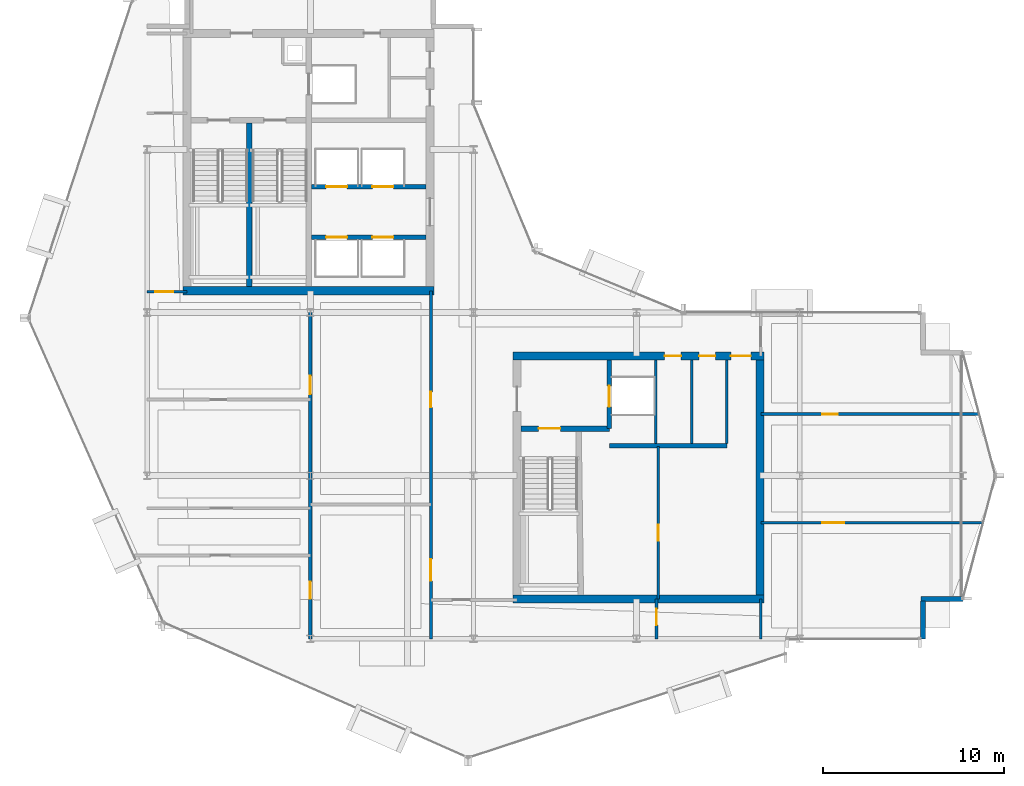
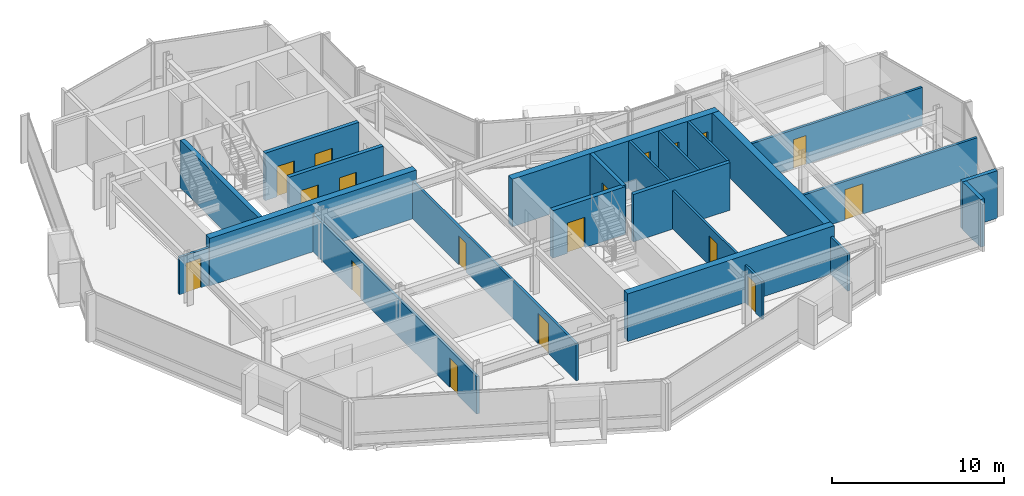
# One storey, part 20 of 27: 23 walls, 18 doors, 18 openings.
"""IFC4 building model written with IfcOpenShell, lengths in metres."""

from ifc_helpers import new_model, si_unit, direction, frame, frame_2d, origin, place, context, subcontext, project, spatial, rectangle, extrude, material, layer, layer_set, type_object, element, fill, save


model = new_model("IFC4")

# Units and contexts
model_context = context("Model", 3, precision=1e-05, world=origin(), true_north=direction((0.0, 1.0)))
body_context = subcontext(model_context, "Body", "Model", "MODEL_VIEW")
ifc_project = project(units=[si_unit("LENGTHUNIT", "METRE"), si_unit("AREAUNIT", "SQUARE_METRE"), si_unit("VOLUMEUNIT", "CUBIC_METRE"), si_unit("PLANEANGLEUNIT", "RADIAN"), si_unit("MASSUNIT", "GRAM", prefix="KILO")], contexts=[model_context])

# Site, building, storey
site_placement = place(None, origin())
site = spatial("IfcSite", under=ifc_project, at=site_placement, CompositionType="ELEMENT")
building_placement = place(site_placement, origin())
building = spatial("IfcBuilding", under=site, at=building_placement, Name="Solvaryn Broadcast Tower", CompositionType="ELEMENT")
storey_placement = place(building_placement, frame((0.0, 0.0, 232.10009765625)))
storey = spatial("IfcBuildingStorey", under=building, at=storey_placement, Name="L58", CompositionType="ELEMENT", Elevation=232.10009765625)

# Walls
ifc_material_1 = material(Name="Concrete f'c 70 MPa", Category="concrete")
ifc_layer_1 = layer(ifc_material_1, 0.449951171875)
ifc_layer_set_1 = layer_set([ifc_layer_1], Name="CW-SHEAR-450")
wall_type_1 = type_object("IfcWallType", Name="CW-SHEAR-450", PredefinedType="SHEAR", material=ifc_layer_set_1)
for number, where, z_axis, x_axis, name in (
    (1, (10.97509765625, 28.199951171875, 0.0), (0.0, 0.0, 1.0), (1.0, 0.0, 0.0), "L58 West Core South Shear Wall"),
    (2, (29.175048828125, 11.199951171875, 0.0), (0.0, 0.0, 1.0), (1.0, 0.0, 0.0), "L58 East Core South Shear Wall"),
):
    element("IfcWall", number, at=place(storey_placement, frame(where, z_axis=z_axis, x_axis=x_axis)), inside=storey, type_object=wall_type_1, Name=name, PredefinedType="SHEAR", context=body_context, shape_type="SweptSolid", body=[
        extrude(rectangle(XDim=13.849853515625, YDim=0.449951171875, at=frame_2d((6.9248046875, 0.0))), origin(), (0.0, 0.0, 1.0), 3.369873046875),
    ])

# Wall, openings, doors
wall_1_placement = place(storey_placement, frame((43.02490234375, 24.60009765625, 0.0), z_axis=(0.0, 0.0, 1.0), x_axis=(-1.0, 0.0, 0.0)))
wall_1 = element("IfcWall", 3, at=wall_1_placement, inside=storey, type_object=wall_type_1, Name="L58 East Core North Shear Wall", PredefinedType="SHEAR", context=body_context, shape_type="SweptSolid", body=[
    extrude(rectangle(XDim=13.849853515625, YDim=0.449951171875, at=frame_2d((6.9248046875, 0.0))), origin(), (0.0, 0.0, 1.0), 3.369873046875),
])
opening_1_placement = place(wall_1_placement, frame((0.72509765625, 0.0, 0.0)))
opening_1 = element("IfcOpeningElement", 4, at=opening_1_placement, cuts=wall_1, Name="Opening FD90C", PredefinedType="OPENING", context=body_context, shape_type="SweptSolid", body=[
    extrude(rectangle(XDim=1.10009765625, YDim=2.14990234375, at=frame_2d((0.550048828125, 1.074951171875))), frame((0.0, 0.235107421875, 0.0), z_axis=(0.0, -1.0, 0.0), x_axis=(1.0, 0.0, 0.0)), (0.0, 0.0, 1.0), 0.469970703125),
])
opening_2_placement = place(wall_1_placement, frame((2.675048828125, 0.0, 0.0)))
opening_2 = element("IfcOpeningElement", 5, at=opening_2_placement, cuts=wall_1, Name="Opening FD60C", PredefinedType="OPENING", context=body_context, shape_type="SweptSolid", body=[
    extrude(rectangle(XDim=0.89990234375, YDim=2.10009765625, at=frame_2d((0.449951171875, 1.050048828125))), frame((0.0, 0.235107421875, 0.0), z_axis=(0.0, -1.0, 0.0), x_axis=(1.0, 0.0, 0.0)), (0.0, 0.0, 1.0), 0.469970703125),
])
opening_3_placement = place(wall_1_placement, frame((4.574951171875, 0.0, 0.0)))
opening_3 = element("IfcOpeningElement", 6, at=opening_3_placement, cuts=wall_1, Name="Opening FD60C", PredefinedType="OPENING", context=body_context, shape_type="SweptSolid", body=[
    extrude(rectangle(XDim=0.89990234375, YDim=2.10009765625, at=frame_2d((0.449951171875, 1.050048828125))), frame((0.0, 0.235107421875, 0.0), z_axis=(0.0, -1.0, 0.0), x_axis=(1.0, 0.0, 0.0)), (0.0, 0.0, 1.0), 0.469970703125),
])
ifc_material_2 = material(Name="Flush Acoustic Steel and Timber Door Assembly", Category="steel")
door_type_1 = type_object("IfcDoorType", Name="FD60-SERV-900X2100", OperationType="NOTDEFINED", PredefinedType="DOOR", material=ifc_material_2)
door_1_placement = place(opening_2_placement, origin())
door_1 = element("IfcDoor", 7, at=door_1_placement, inside=storey, type_object=door_type_1, Name="L58 Staff Restroom Door", OperationType="SINGLE_SWING_LEFT", OverallHeight=2.10009765625, OverallWidth=0.89990234375, PredefinedType="DOOR", context=body_context, shape_type="SweptSolid", body=[
    extrude(rectangle(XDim=0.89990234375, YDim=2.10009765625, at=frame_2d((0.449951171875, 1.050048828125))), frame((0.0, 0.02490234375, 0.0), z_axis=(0.0, -1.0, 0.0), x_axis=(1.0, 0.0, 0.0)), (0.0, 0.0, 1.0), 0.050048828125),
])
fill(opening_2, door_1)
door_2_placement = place(opening_3_placement, origin())
door_2 = element("IfcDoor", 8, at=door_2_placement, inside=storey, type_object=door_type_1, Name="L58 Accessible WC Door", OperationType="SINGLE_SWING_RIGHT", OverallHeight=2.10009765625, OverallWidth=0.89990234375, PredefinedType="DOOR", context=body_context, shape_type="SweptSolid", body=[
    extrude(rectangle(XDim=0.89990234375, YDim=2.10009765625, at=frame_2d((0.449951171875, 1.050048828125))), frame((0.0, 0.02490234375, 0.0), z_axis=(0.0, -1.0, 0.0), x_axis=(1.0, 0.0, 0.0)), (0.0, 0.0, 1.0), 0.050048828125),
])
fill(opening_3, door_2)
ifc_material_3 = material(Name="Flush Acoustic Steel and Timber Door Assembly", Category="steel")
door_type_2 = type_object("IfcDoorType", Name="FD90-PLANT-1100X2150", OperationType="NOTDEFINED", PredefinedType="DOOR", material=ifc_material_3)
door_3_placement = place(opening_1_placement, origin())
door_3 = element("IfcDoor", 9, at=door_3_placement, inside=storey, type_object=door_type_2, Name="L58 East Core Lobby Corridor Door", OperationType="SINGLE_SWING_LEFT", OverallHeight=2.14990234375, OverallWidth=1.10009765625, PredefinedType="DOOR", context=body_context, shape_type="SweptSolid", body=[
    extrude(rectangle(XDim=1.10009765625, YDim=2.14990234375, at=frame_2d((0.550048828125, 1.074951171875))), frame((0.0, 0.02490234375, 0.0), z_axis=(0.0, -1.0, 0.0), x_axis=(1.0, 0.0, 0.0)), (0.0, 0.0, 1.0), 0.050048828125),
])
fill(opening_1, door_3)

# Walls
wall_2_placement = place(storey_placement, frame((42.800048828125, 11.425048828125, 0.0), z_axis=(0.0, 0.0, 1.0), x_axis=(0.0, 1.0, 0.0)))
element("IfcWall", 10, at=wall_2_placement, inside=storey, type_object=wall_type_1, Name="L58 East Core East Shear Wall", PredefinedType="SHEAR", context=body_context, shape_type="SweptSolid", body=[
    extrude(rectangle(XDim=12.949951171875, YDim=0.449951171875, at=frame_2d((6.47509765625, 0.0))), origin(), (0.0, 0.0, 1.0), 3.369873046875),
])
ifc_material_4 = material(Name="Concrete f'c 50 MPa", Category="concrete")
ifc_layer_2 = layer(ifc_material_4, 0.260009765625)
ifc_layer_set_2 = layer_set([ifc_layer_2], Name="EW-PIER-260")
wall_type_2 = type_object("IfcWallType", Name="EW-PIER-260", PredefinedType="SOLIDWALL", material=ifc_layer_set_2)
wall_3_placement = place(storey_placement, frame((51.800048828125, 9.0, 0.0), z_axis=(0.0, 0.0, 1.0), x_axis=(0.0, 1.0, 0.0)))
element("IfcWall", 11, at=wall_3_placement, inside=storey, type_object=wall_type_2, Name="L58 Notched Corner Pier Wall NSE1", PredefinedType="SOLIDWALL", context=body_context, shape_type="SweptSolid", body=[
    extrude(rectangle(XDim=2.080078125, YDim=0.260009765625, at=frame_2d((1.0400390625, 0.0))), origin(), (0.0, 0.0, 1.0), 3.369873046875),
])
wall_4_placement = place(storey_placement, frame((51.679931640625, 11.199951171875, 0.0), z_axis=(0.0, 0.0, 1.0), x_axis=(1.0, 0.0, 0.0)))
element("IfcWall", 12, at=wall_4_placement, inside=storey, type_object=wall_type_2, Name="L58 Notched Corner Pier Wall NSE2", PredefinedType="SOLIDWALL", context=body_context, shape_type="SweptSolid", body=[
    extrude(rectangle(XDim=2.320068359375, YDim=0.260009765625, at=frame_2d((1.16015625, 0.0))), origin(), (0.0, 0.0, 1.0), 3.369873046875),
])

# Wall, opening, door
ifc_material_5 = material(Name="Metal-Stud Service Core Partition")
ifc_layer_3 = layer(ifc_material_5, 0.14990234375)
ifc_layer_set_3 = layer_set([ifc_layer_3], Name="IW-PART-150")
wall_type_3 = type_object("IfcWallType", Name="IW-PART-150", PredefinedType="PARTITIONING", material=ifc_layer_set_3)
wall_5_placement = place(storey_placement, frame((37.199951171875, 11.199951171875, 0.0), z_axis=(0.0, 0.0, 1.0), x_axis=(0.0, 1.0, 0.0)))
wall_5 = element("IfcWall", 13, at=wall_5_placement, inside=storey, type_object=wall_type_3, Name="L58 Interior Partition IW-L58-RPM-V", PredefinedType="PARTITIONING", context=body_context, shape_type="SweptSolid", body=[
    extrude(rectangle(XDim=8.400146484375, YDim=0.14990234375, at=frame_2d((4.2001953125, 0.0))), origin(), (0.0, 0.0, 1.0), 2.739013671875),
])
opening_4_placement = place(wall_5_placement, frame((3.199951171875, 0.0, 0.0)))
opening_4 = element("IfcOpeningElement", 14, at=opening_4_placement, cuts=wall_5, Name="Opening FD60C", PredefinedType="OPENING", context=body_context, shape_type="SweptSolid", body=[
    extrude(rectangle(XDim=0.89990234375, YDim=2.10009765625, at=frame_2d((0.449951171875, 1.050048828125))), frame((0.0, 0.0849609375, 0.0), z_axis=(0.0, -1.0, 0.0), x_axis=(1.0, 0.0, 0.0)), (0.0, 0.0, 1.0), 0.169921875),
])
door_4_placement = place(opening_4_placement, origin())
door_4 = element("IfcDoor", 15, at=door_4_placement, inside=storey, type_object=door_type_1, Name="L58 Door DR-L58-RPM1", OperationType="SINGLE_SWING_LEFT", OverallHeight=2.10009765625, OverallWidth=0.89990234375, PredefinedType="DOOR", context=body_context, shape_type="SweptSolid", body=[
    extrude(rectangle(XDim=0.89990234375, YDim=2.10009765625, at=frame_2d((0.449951171875, 1.050048828125))), frame((0.0, 0.02490234375, 0.0), z_axis=(0.0, -1.0, 0.0), x_axis=(1.0, 0.0, 0.0)), (0.0, 0.0, 1.0), 0.050048828125),
])
fill(opening_4, door_4)

# Walls
for number, where, z_axis, x_axis, name in (
    (16, (37.050048828125, 19.780029296875, 0.0), (0.0, 0.0, 1.0), (0.0, 1.0, 0.0), "L58 Interior Partition IW-L58-CE-FL2E"),
    (17, (39.050048828125, 19.780029296875, 0.0), (0.0, 0.0, 1.0), (0.0, 1.0, 0.0), "L58 Interior Partition IW-L58-CE-V1"),
    (18, (40.97998046875, 19.780029296875, 0.0), (0.0, 0.0, 1.0), (0.0, 1.0, 0.0), "L58 Interior Partition IW-L58-CE-V3"),
):
    element("IfcWall", number, at=place(storey_placement, frame(where, z_axis=z_axis, x_axis=x_axis)), inside=storey, type_object=wall_type_3, Name=name, PredefinedType="PARTITIONING", context=body_context, shape_type="SweptSolid", body=[
        extrude(rectangle(XDim=4.594970703125, YDim=0.14990234375, at=frame_2d((2.29736328125, 0.0))), origin(), (0.0, 0.0, 1.0), 3.369873046875),
    ])

# Wall, opening, door
wall_6_placement = place(storey_placement, frame((37.10009765625, 9.0, 0.0), z_axis=(0.0, 0.0, 1.0), x_axis=(0.0, 1.0, 0.0)))
wall_6 = element("IfcWall", 19, at=wall_6_placement, inside=storey, type_object=wall_type_3, Name="L58 Interior Partition IW-L58-SC-V", PredefinedType="PARTITIONING", context=body_context, shape_type="SweptSolid", body=[
    extrude(rectangle(XDim=2.199951171875, YDim=0.14990234375, at=frame_2d((1.10009765625, 0.0))), origin(), (0.0, 0.0, 1.0), 2.656982421875),
])
opening_5_placement = place(wall_6_placement, frame((0.75, 0.0, 0.0)))
opening_5 = element("IfcOpeningElement", 20, at=opening_5_placement, cuts=wall_6, Name="Opening FD60C", PredefinedType="OPENING", context=body_context, shape_type="SweptSolid", body=[
    extrude(rectangle(XDim=0.89990234375, YDim=2.10009765625, at=frame_2d((0.449951171875, 1.050048828125))), frame((0.0, 0.0849609375, 0.0), z_axis=(0.0, -1.0, 0.0), x_axis=(1.0, 0.0, 0.0)), (0.0, 0.0, 1.0), 0.169921875),
])
door_5_placement = place(opening_5_placement, origin())
door_5 = element("IfcDoor", 21, at=door_5_placement, inside=storey, type_object=door_type_1, Name="L58 Door DR-L58-SC1", OperationType="SINGLE_SWING_RIGHT", OverallHeight=2.10009765625, OverallWidth=0.89990234375, PredefinedType="DOOR", context=body_context, shape_type="SweptSolid", body=[
    extrude(rectangle(XDim=0.89990234375, YDim=2.10009765625, at=frame_2d((0.449951171875, 1.050048828125))), frame((0.0, 0.02490234375, 0.0), z_axis=(0.0, -1.0, 0.0), x_axis=(1.0, 0.0, 0.0)), (0.0, 0.0, 1.0), 0.050048828125),
])
fill(opening_5, door_5)

ifc_material_6 = material(Name="Metal-Stud Gypsum Office Partition")
ifc_layer_4 = layer(ifc_material_6, 0.159912109375)
ifc_layer_set_4 = layer_set([ifc_layer_4], Name="IW-PART-160")
wall_type_4 = type_object("IfcWallType", Name="IW-PART-160", PredefinedType="PARTITIONING", material=ifc_layer_set_4)
wall_7_placement = place(storey_placement, frame((9.0, 28.14990234375, 0.0), z_axis=(0.0, 0.0, 1.0), x_axis=(1.0, 0.0, 0.0)))
wall_7 = element("IfcWall", 22, at=wall_7_placement, inside=storey, type_object=wall_type_4, Name="L58 Interior Partition IW-L58-WM-S", PredefinedType="PARTITIONING", context=body_context, shape_type="SweptSolid", body=[
    extrude(rectangle(XDim=2.199951171875, YDim=0.159912109375, at=frame_2d((1.10009765625, 0.0))), origin(), (0.0, 0.0, 1.0), 2.656982421875),
])
opening_6_placement = place(wall_7_placement, frame((0.449951171875, 0.0, 0.0)))
opening_6 = element("IfcOpeningElement", 23, at=opening_6_placement, cuts=wall_7, Name="Opening ID02", PredefinedType="OPENING", context=body_context, shape_type="SweptSolid", body=[
    extrude(rectangle(XDim=1.0, YDim=2.10009765625, at=frame_2d((0.5, 1.050048828125))), frame((0.0, 0.090087890625, 0.0), z_axis=(0.0, -1.0, 0.0), x_axis=(1.0, 0.0, 0.0)), (0.0, 0.0, 1.0), 0.179931640625),
])
ifc_material_7 = material(Name="Flush Acoustic Steel and Timber Door Assembly", Category="steel")
door_type_3 = type_object("IfcDoorType", Name="ID-02-1000X2100", OperationType="NOTDEFINED", PredefinedType="DOOR", material=ifc_material_7)
door_6_placement = place(opening_6_placement, origin())
door_6 = element("IfcDoor", 24, at=door_6_placement, inside=storey, type_object=door_type_3, Name="L58 Door DR-L58-WM0", OperationType="SINGLE_SWING_RIGHT", OverallHeight=2.10009765625, OverallWidth=1.0, PredefinedType="DOOR", context=body_context, shape_type="SweptSolid", body=[
    extrude(rectangle(XDim=1.0, YDim=2.10009765625, at=frame_2d((0.5, 1.050048828125))), frame((0.0, 0.02490234375, 0.0), z_axis=(0.0, -1.0, 0.0), x_axis=(1.0, 0.0, 0.0)), (0.0, 0.0, 1.0), 0.050048828125),
])
fill(opening_6, door_6)

# Wall, openings, doors
wall_8_placement = place(storey_placement, frame((24.64990234375, 9.0, 0.0), z_axis=(0.0, 0.0, 1.0), x_axis=(0.0, 1.0, 0.0)))
wall_8 = element("IfcWall", 25, at=wall_8_placement, inside=storey, type_object=wall_type_4, Name="L58 Interior Partition IW-L58-SW-EB", PredefinedType="PARTITIONING", context=body_context, shape_type="SweptSolid", body=[
    extrude(rectangle(XDim=19.199951171875, YDim=0.159912109375, at=frame_2d((9.60009765625, 0.0))), origin(), (0.0, 0.0, 1.0), 2.656982421875),
])
opening_7_placement = place(wall_8_placement, frame((3.199951171875, 0.0, 0.0)))
opening_7 = element("IfcOpeningElement", 26, at=opening_7_placement, cuts=wall_8, Name="Opening ID04", PredefinedType="OPENING", context=body_context, shape_type="SweptSolid", body=[
    extrude(rectangle(XDim=1.199951171875, YDim=2.14990234375, at=frame_2d((0.60009765625, 1.074951171875))), frame((0.0, 0.090087890625, 0.0), z_axis=(0.0, -1.0, 0.0), x_axis=(1.0, 0.0, 0.0)), (0.0, 0.0, 1.0), 0.179931640625),
])
opening_8_placement = place(wall_8_placement, frame((12.764892578125, 0.0, 0.0)))
opening_8 = element("IfcOpeningElement", 27, at=opening_8_placement, cuts=wall_8, Name="Opening ID07", PredefinedType="OPENING", context=body_context, shape_type="SweptSolid", body=[
    extrude(rectangle(XDim=0.860107421875, YDim=2.050048828125, at=frame_2d((0.43017578125, 1.02490234375))), frame((0.0, 0.090087890625, 0.0), z_axis=(0.0, -1.0, 0.0), x_axis=(1.0, 0.0, 0.0)), (0.0, 0.0, 1.0), 0.179931640625),
])
ifc_material_8 = material(Name="Flush Acoustic Steel and Timber Door Assembly", Category="steel")
door_type_4 = type_object("IfcDoorType", Name="ID-04-1200X2150", OperationType="NOTDEFINED", PredefinedType="DOOR", material=ifc_material_8)
door_7_placement = place(opening_7_placement, origin())
door_7 = element("IfcDoor", 28, at=door_7_placement, inside=storey, type_object=door_type_4, Name="L58 Door DR-L58-SWE-1", OperationType="SINGLE_SWING_RIGHT", OverallHeight=2.14990234375, OverallWidth=1.199951171875, PredefinedType="DOOR", context=body_context, shape_type="SweptSolid", body=[
    extrude(rectangle(XDim=1.199951171875, YDim=2.14990234375, at=frame_2d((0.60009765625, 1.074951171875))), frame((0.0, 0.02490234375, 0.0), z_axis=(0.0, -1.0, 0.0), x_axis=(1.0, 0.0, 0.0)), (0.0, 0.0, 1.0), 0.050048828125),
])
fill(opening_7, door_7)
ifc_material_9 = material(Name="Flush Acoustic Steel and Timber Door Assembly", Category="steel")
door_type_5 = type_object("IfcDoorType", Name="ID-07-860X2050", OperationType="NOTDEFINED", PredefinedType="DOOR", material=ifc_material_9)
door_8_placement = place(opening_8_placement, origin())
door_8 = element("IfcDoor", 29, at=door_8_placement, inside=storey, type_object=door_type_5, Name="L58 Door DR-L58-SWE-2", OperationType="SINGLE_SWING_LEFT", OverallHeight=2.050048828125, OverallWidth=0.860107421875, PredefinedType="DOOR", context=body_context, shape_type="SweptSolid", body=[
    extrude(rectangle(XDim=0.860107421875, YDim=2.050048828125, at=frame_2d((0.43017578125, 1.02490234375))), frame((0.0, 0.02490234375, 0.0), z_axis=(0.0, -1.0, 0.0), x_axis=(1.0, 0.0, 0.0)), (0.0, 0.0, 1.0), 0.050048828125),
])
fill(opening_8, door_8)

# Wall
wall_9_placement = place(storey_placement, frame((42.85009765625, 9.0, 0.0), z_axis=(0.0, 0.0, 1.0), x_axis=(0.0, 1.0, 0.0)))
element("IfcWall", 30, at=wall_9_placement, inside=storey, type_object=wall_type_4, Name="L58 Interior Partition IW-L58-SC-E", PredefinedType="PARTITIONING", context=body_context, shape_type="SweptSolid", body=[
    extrude(rectangle(XDim=2.199951171875, YDim=0.159912109375, at=frame_2d((1.10009765625, 0.0))), origin(), (0.0, 0.0, 1.0), 2.656982421875),
])

# Wall, opening, door
wall_10_placement = place(storey_placement, frame((42.85009765625, 15.39990234375, 0.0), z_axis=(0.0, 0.0, 1.0), x_axis=(1.0, 0.0, 0.0)))
wall_10 = element("IfcWall", 31, at=wall_10_placement, inside=storey, type_object=wall_type_4, Name="L58 Interior Partition IW-L58-EW-H1", PredefinedType="PARTITIONING", context=body_context, shape_type="SweptSolid", body=[
    extrude(rectangle(XDim=12.261962890625, YDim=0.159912109375, at=frame_2d((6.130859375, 0.0))), origin(), (0.0, 0.0, 1.0), 2.739013671875),
])
opening_9_placement = place(wall_10_placement, frame((3.39990234375, 0.0, 0.0)))
opening_9 = element("IfcOpeningElement", 32, at=opening_9_placement, cuts=wall_10, Name="Opening ID04", PredefinedType="OPENING", context=body_context, shape_type="SweptSolid", body=[
    extrude(rectangle(XDim=1.199951171875, YDim=2.14990234375, at=frame_2d((0.60009765625, 1.074951171875))), frame((0.0, 0.090087890625, 0.0), z_axis=(0.0, -1.0, 0.0), x_axis=(1.0, 0.0, 0.0)), (0.0, 0.0, 1.0), 0.179931640625),
])
door_9_placement = place(opening_9_placement, origin())
door_9 = element("IfcDoor", 33, at=door_9_placement, inside=storey, type_object=door_type_4, Name="L58 Door DR-L58-EW-1", OperationType="SINGLE_SWING_RIGHT", OverallHeight=2.14990234375, OverallWidth=1.199951171875, PredefinedType="DOOR", context=body_context, shape_type="SweptSolid", body=[
    extrude(rectangle(XDim=1.199951171875, YDim=2.14990234375, at=frame_2d((0.60009765625, 1.074951171875))), frame((0.0, 0.02490234375, 0.0), z_axis=(0.0, -1.0, 0.0), x_axis=(1.0, 0.0, 0.0)), (0.0, 0.0, 1.0), 0.050048828125),
])
fill(opening_9, door_9)

wall_11_placement = place(storey_placement, frame((42.85009765625, 21.39990234375, 0.0), z_axis=(0.0, 0.0, 1.0), x_axis=(1.0, 0.0, 0.0)))
wall_11 = element("IfcWall", 34, at=wall_11_placement, inside=storey, type_object=wall_type_4, Name="L58 Interior Partition IW-L58-EW-H2", PredefinedType="PARTITIONING", context=body_context, shape_type="SweptSolid", body=[
    extrude(rectangle(XDim=12.0498046875, YDim=0.159912109375, at=frame_2d((6.02490234375, 0.0))), origin(), (0.0, 0.0, 1.0), 2.741943359375),
])
opening_10_placement = place(wall_11_placement, frame((3.39990234375, 0.0, 0.0)))
opening_10 = element("IfcOpeningElement", 35, at=opening_10_placement, cuts=wall_11, Name="Opening ID07", PredefinedType="OPENING", context=body_context, shape_type="SweptSolid", body=[
    extrude(rectangle(XDim=0.860107421875, YDim=2.050048828125, at=frame_2d((0.43017578125, 1.02490234375))), frame((0.0, 0.090087890625, 0.0), z_axis=(0.0, -1.0, 0.0), x_axis=(1.0, 0.0, 0.0)), (0.0, 0.0, 1.0), 0.179931640625),
])
door_10_placement = place(opening_10_placement, origin())
door_10 = element("IfcDoor", 36, at=door_10_placement, inside=storey, type_object=door_type_5, Name="L58 Door DR-L58-EW-2", OperationType="SINGLE_SWING_LEFT", OverallHeight=2.050048828125, OverallWidth=0.860107421875, PredefinedType="DOOR", context=body_context, shape_type="SweptSolid", body=[
    extrude(rectangle(XDim=0.860107421875, YDim=2.050048828125, at=frame_2d((0.43017578125, 1.02490234375))), frame((0.0, 0.02490234375, 0.0), z_axis=(0.0, -1.0, 0.0), x_axis=(1.0, 0.0, 0.0)), (0.0, 0.0, 1.0), 0.050048828125),
])
fill(opening_10, door_10)

# Wall, openings, doors
ifc_material_10 = material(Name="Acoustic Metal-Stud Gypsum Partition")
ifc_layer_5 = layer(ifc_material_10, 0.179931640625)
ifc_layer_set_5 = layer_set([ifc_layer_5], Name="IW-PART-180")
wall_type_5 = type_object("IfcWallType", Name="IW-PART-180", PredefinedType="PARTITIONING", material=ifc_layer_set_5)
wall_12_placement = place(storey_placement, frame((18.0, 9.0, 0.0), z_axis=(0.0, 0.0, 1.0), x_axis=(0.0, 1.0, 0.0)))
wall_12 = element("IfcWall", 37, at=wall_12_placement, inside=storey, type_object=wall_type_5, Name="L58 Interior Partition IW-L58-SW-VX", PredefinedType="PARTITIONING", context=body_context, shape_type="SweptSolid", body=[
    extrude(rectangle(XDim=19.1298828125, YDim=0.179931640625, at=frame_2d((9.56494140625, 0.0))), origin(), (0.0, 0.0, 1.0), 2.656982421875),
])
opening_11_placement = place(wall_12_placement, frame((2.199951171875, 0.0, 0.0)))
opening_11 = element("IfcOpeningElement", 38, at=opening_11_placement, cuts=wall_12, Name="Opening ID01", PredefinedType="OPENING", context=body_context, shape_type="SweptSolid", body=[
    extrude(rectangle(XDim=0.949951171875, YDim=2.10009765625, at=frame_2d((0.47509765625, 1.050048828125))), frame((0.0, 0.099853515625, 0.0), z_axis=(0.0, -1.0, 0.0), x_axis=(1.0, 0.0, 0.0)), (0.0, 0.0, 1.0), 0.199951171875),
])
opening_12_placement = place(wall_12_placement, frame((13.5, 0.0, 0.0)))
opening_12 = element("IfcOpeningElement", 39, at=opening_12_placement, cuts=wall_12, Name="Opening ID02", PredefinedType="OPENING", context=body_context, shape_type="SweptSolid", body=[
    extrude(rectangle(XDim=1.0, YDim=2.10009765625, at=frame_2d((0.5, 1.050048828125))), frame((0.0, 0.099853515625, 0.0), z_axis=(0.0, -1.0, 0.0), x_axis=(1.0, 0.0, 0.0)), (0.0, 0.0, 1.0), 0.199951171875),
])
ifc_material_11 = material(Name="Flush Acoustic Steel and Timber Door Assembly", Category="steel")
door_type_6 = type_object("IfcDoorType", Name="ID-01-950X2100", OperationType="NOTDEFINED", PredefinedType="DOOR", material=ifc_material_11)
door_11_placement = place(opening_11_placement, origin())
door_11 = element("IfcDoor", 40, at=door_11_placement, inside=storey, type_object=door_type_6, Name="L58 Door DR-L58-SWW-X1", OperationType="SINGLE_SWING_RIGHT", OverallHeight=2.10009765625, OverallWidth=0.949951171875, PredefinedType="DOOR", context=body_context, shape_type="SweptSolid", body=[
    extrude(rectangle(XDim=0.949951171875, YDim=2.10009765625, at=frame_2d((0.47509765625, 1.050048828125))), frame((0.0, 0.02490234375, 0.0), z_axis=(0.0, -1.0, 0.0), x_axis=(1.0, 0.0, 0.0)), (0.0, 0.0, 1.0), 0.050048828125),
])
fill(opening_11, door_11)
door_12_placement = place(opening_12_placement, origin())
door_12 = element("IfcDoor", 41, at=door_12_placement, inside=storey, type_object=door_type_3, Name="L58 Door DR-L58-SWW-X2", OperationType="SINGLE_SWING_LEFT", OverallHeight=2.10009765625, OverallWidth=1.0, PredefinedType="DOOR", context=body_context, shape_type="SweptSolid", body=[
    extrude(rectangle(XDim=1.0, YDim=2.10009765625, at=frame_2d((0.5, 1.050048828125))), frame((0.0, 0.02490234375, 0.0), z_axis=(0.0, -1.0, 0.0), x_axis=(1.0, 0.0, 0.0)), (0.0, 0.0, 1.0), 0.050048828125),
])
fill(opening_12, door_12)

ifc_material_12 = material(Name="Concrete f'c 60 MPa", Category="concrete")
ifc_layer_6 = layer(ifc_material_12, 0.25)
ifc_layer_set_6 = layer_set([ifc_layer_6], Name="SW-SHAFT-250")
wall_type_6 = type_object("IfcWallType", Name="SW-SHAFT-250", PredefinedType="PARTITIONING", material=ifc_layer_set_6)
wall_13_placement = place(storey_placement, frame((18.070068359375, 31.14990234375, 0.0), z_axis=(0.0, 0.0, 1.0), x_axis=(1.0, 0.0, 0.0)))
wall_13 = element("IfcWall", 42, at=wall_13_placement, inside=storey, type_object=wall_type_6, Name="L58 High-Rise Lift Bank South Wall", PredefinedType="PARTITIONING", context=body_context, shape_type="SweptSolid", body=[
    extrude(rectangle(XDim=6.304931640625, YDim=0.25, at=frame_2d((3.15234375, 0.0))), origin(), (0.0, 0.0, 1.0), 3.369873046875),
])
opening_13_placement = place(wall_13_placement, frame((0.804931640625, 0.0, 0.0)))
opening_13 = element("IfcOpeningElement", 43, at=opening_13_placement, cuts=wall_13, Name="Opening LD01", PredefinedType="OPENING", context=body_context, shape_type="SweptSolid", body=[
    extrude(rectangle(XDim=1.14990234375, YDim=2.14990234375, at=frame_2d((0.574951171875, 1.074951171875))), frame((0.0, 0.135009765625, 0.0), z_axis=(0.0, -1.0, 0.0), x_axis=(1.0, 0.0, 0.0)), (0.0, 0.0, 1.0), 0.27001953125),
])
opening_14_placement = place(wall_13_placement, frame((3.35498046875, 0.0, 0.0)))
opening_14 = element("IfcOpeningElement", 44, at=opening_14_placement, cuts=wall_13, Name="Opening LD01", PredefinedType="OPENING", context=body_context, shape_type="SweptSolid", body=[
    extrude(rectangle(XDim=1.14990234375, YDim=2.14990234375, at=frame_2d((0.574951171875, 1.074951171875))), frame((0.0, 0.135009765625, 0.0), z_axis=(0.0, -1.0, 0.0), x_axis=(1.0, 0.0, 0.0)), (0.0, 0.0, 1.0), 0.27001953125),
])
ifc_material_13 = material(Name="Flush Acoustic Steel and Timber Door Assembly", Category="steel")
door_type_7 = type_object("IfcDoorType", Name="LD-LIFT-1150X2150", OperationType="NOTDEFINED", PredefinedType="DOOR", material=ifc_material_13)
door_13_placement = place(opening_13_placement, origin())
door_13 = element("IfcDoor", 45, at=door_13_placement, inside=storey, type_object=door_type_7, Name="L58 PH1 Lift Landing Door", OperationType="DOUBLE_DOOR_SLIDING", OverallHeight=2.14990234375, OverallWidth=1.14990234375, PredefinedType="DOOR", context=body_context, shape_type="SweptSolid", body=[
    extrude(rectangle(XDim=1.14990234375, YDim=2.14990234375, at=frame_2d((0.574951171875, 1.074951171875))), frame((0.0, 0.02490234375, 0.0), z_axis=(0.0, -1.0, 0.0), x_axis=(1.0, 0.0, 0.0)), (0.0, 0.0, 1.0), 0.050048828125),
])
fill(opening_13, door_13)
door_14_placement = place(opening_14_placement, origin())
door_14 = element("IfcDoor", 46, at=door_14_placement, inside=storey, type_object=door_type_7, Name="L58 PH2 Lift Landing Door", OperationType="DOUBLE_DOOR_SLIDING", OverallHeight=2.14990234375, OverallWidth=1.14990234375, PredefinedType="DOOR", context=body_context, shape_type="SweptSolid", body=[
    extrude(rectangle(XDim=1.14990234375, YDim=2.14990234375, at=frame_2d((0.574951171875, 1.074951171875))), frame((0.0, 0.02490234375, 0.0), z_axis=(0.0, -1.0, 0.0), x_axis=(1.0, 0.0, 0.0)), (0.0, 0.0, 1.0), 0.050048828125),
])
fill(opening_14, door_14)

wall_14_placement = place(storey_placement, frame((24.375, 33.949951171875, 0.0), z_axis=(0.0, 0.0, 1.0), x_axis=(-1.0, 0.0, 0.0)))
wall_14 = element("IfcWall", 47, at=wall_14_placement, inside=storey, type_object=wall_type_6, Name="L58 High-Rise Lift Bank North Wall", PredefinedType="PARTITIONING", context=body_context, shape_type="SweptSolid", body=[
    extrude(rectangle(XDim=6.304931640625, YDim=0.25, at=frame_2d((3.15234375, 0.0))), origin(), (0.0, 0.0, 1.0), 3.369873046875),
])
opening_15_placement = place(wall_14_placement, frame((4.35009765625, 0.0, 0.0)))
opening_15 = element("IfcOpeningElement", 48, at=opening_15_placement, cuts=wall_14, Name="Opening LD01", PredefinedType="OPENING", context=body_context, shape_type="SweptSolid", body=[
    extrude(rectangle(XDim=1.14990234375, YDim=2.14990234375, at=frame_2d((0.574951171875, 1.074951171875))), frame((0.0, 0.135009765625, 0.0), z_axis=(0.0, -1.0, 0.0), x_axis=(1.0, 0.0, 0.0)), (0.0, 0.0, 1.0), 0.27001953125),
])
opening_16_placement = place(wall_14_placement, frame((1.800048828125, 0.0, 0.0)))
opening_16 = element("IfcOpeningElement", 49, at=opening_16_placement, cuts=wall_14, Name="Opening LD01", PredefinedType="OPENING", context=body_context, shape_type="SweptSolid", body=[
    extrude(rectangle(XDim=1.14990234375, YDim=2.14990234375, at=frame_2d((0.574951171875, 1.074951171875))), frame((0.0, 0.135009765625, 0.0), z_axis=(0.0, -1.0, 0.0), x_axis=(1.0, 0.0, 0.0)), (0.0, 0.0, 1.0), 0.27001953125),
])
door_15_placement = place(opening_15_placement, origin())
door_15 = element("IfcDoor", 50, at=door_15_placement, inside=storey, type_object=door_type_7, Name="L58 PH3 Lift Landing Door", OperationType="DOUBLE_DOOR_SLIDING", OverallHeight=2.14990234375, OverallWidth=1.14990234375, PredefinedType="DOOR", context=body_context, shape_type="SweptSolid", body=[
    extrude(rectangle(XDim=1.14990234375, YDim=2.14990234375, at=frame_2d((0.574951171875, 1.074951171875))), frame((0.0, 0.02490234375, 0.0), z_axis=(0.0, -1.0, 0.0), x_axis=(1.0, 0.0, 0.0)), (0.0, 0.0, 1.0), 0.050048828125),
])
fill(opening_15, door_15)
door_16_placement = place(opening_16_placement, origin())
door_16 = element("IfcDoor", 51, at=door_16_placement, inside=storey, type_object=door_type_7, Name="L58 PH4 Lift Landing Door", OperationType="DOUBLE_DOOR_SLIDING", OverallHeight=2.14990234375, OverallWidth=1.14990234375, PredefinedType="DOOR", context=body_context, shape_type="SweptSolid", body=[
    extrude(rectangle(XDim=1.14990234375, YDim=2.14990234375, at=frame_2d((0.574951171875, 1.074951171875))), frame((0.0, 0.02490234375, 0.0), z_axis=(0.0, -1.0, 0.0), x_axis=(1.0, 0.0, 0.0)), (0.0, 0.0, 1.0), 0.050048828125),
])
fill(opening_16, door_16)

# Wall, opening, door
wall_15_placement = place(storey_placement, frame((34.5, 20.60009765625, 0.0), z_axis=(0.0, 0.0, 1.0), x_axis=(0.0, 1.0, 0.0)))
wall_15 = element("IfcWall", 52, at=wall_15_placement, inside=storey, type_object=wall_type_6, Name="L58 East FSAE Lobby East Wall", PredefinedType="PARTITIONING", context=body_context, shape_type="SweptSolid", body=[
    extrude(rectangle(XDim=3.77490234375, YDim=0.25, at=frame_2d((1.887451171875, 0.0))), origin(), (0.0, 0.0, 1.0), 3.369873046875),
])
opening_17_placement = place(wall_15_placement, frame((1.199951171875, 0.0, 0.0)))
opening_17 = element("IfcOpeningElement", 53, at=opening_17_placement, cuts=wall_15, Name="Opening LD01", PredefinedType="OPENING", context=body_context, shape_type="SweptSolid", body=[
    extrude(rectangle(XDim=1.14990234375, YDim=2.14990234375, at=frame_2d((0.574951171875, 1.074951171875))), frame((0.0, 0.135009765625, 0.0), z_axis=(0.0, -1.0, 0.0), x_axis=(1.0, 0.0, 0.0)), (0.0, 0.0, 1.0), 0.27001953125),
])
door_17_placement = place(opening_17_placement, origin())
door_17 = element("IfcDoor", 54, at=door_17_placement, inside=storey, type_object=door_type_7, Name="L58 FL2 Lift Landing Door", OperationType="DOUBLE_DOOR_SLIDING", OverallHeight=2.14990234375, OverallWidth=1.14990234375, PredefinedType="DOOR", context=body_context, shape_type="SweptSolid", body=[
    extrude(rectangle(XDim=1.14990234375, YDim=2.14990234375, at=frame_2d((0.574951171875, 1.074951171875))), frame((0.0, 0.02490234375, 0.0), z_axis=(0.0, -1.0, 0.0), x_axis=(1.0, 0.0, 0.0)), (0.0, 0.0, 1.0), 0.050048828125),
])
fill(opening_17, door_17)

# Walls
wall_16_placement = place(storey_placement, frame((34.5, 19.64990234375, 0.0), z_axis=(0.0, 0.0, 1.0), x_axis=(1.0, 0.0, 0.0)))
element("IfcWall", 55, at=wall_16_placement, inside=storey, type_object=wall_type_6, Name="L58 East Core Restroom South Wall", PredefinedType="PARTITIONING", context=body_context, shape_type="SweptSolid", body=[
    extrude(rectangle(XDim=6.47998046875, YDim=0.25, at=frame_2d((3.239990234375, 0.0))), origin(), (0.0, 0.0, 1.0), 3.369873046875),
])
ifc_material_14 = material(Name="Concrete f'c 70 MPa", Category="concrete")
ifc_layer_7 = layer(ifc_material_14, 0.300048828125)
ifc_layer_set_7 = layer_set([ifc_layer_7], Name="SW-SHAFT-300")
wall_type_7 = type_object("IfcWallType", Name="SW-SHAFT-300", PredefinedType="SHEAR", material=ifc_layer_set_7)
wall_17_placement = place(storey_placement, frame((14.6201171875, 28.425048828125, 0.0), z_axis=(0.0, 0.0, 1.0), x_axis=(0.0, 1.0, 0.0)))
element("IfcWall", 56, at=wall_17_placement, inside=storey, type_object=wall_type_7, Name="L58 Stair 1-2 Dividing Wall", PredefinedType="SHEAR", context=body_context, shape_type="SweptSolid", body=[
    extrude(rectangle(XDim=9.02490234375, YDim=0.300048828125, at=frame_2d((4.512451171875, 0.0))), origin(), (0.0, 0.0, 1.0), 3.369873046875),
])

# Wall, opening, door
wall_18_placement = place(storey_placement, frame((34.5, 20.60009765625, 0.0), z_axis=(0.0, 0.0, 1.0), x_axis=(-1.0, 0.0, 0.0)))
wall_18 = element("IfcWall", 57, at=wall_18_placement, inside=storey, type_object=wall_type_7, Name="L58 East FSAE Lobby South Wall", PredefinedType="SHEAR", context=body_context, shape_type="SweptSolid", body=[
    extrude(rectangle(XDim=4.875, YDim=0.300048828125, at=frame_2d((2.4375, 0.0))), origin(), (0.0, 0.0, 1.0), 3.369873046875),
])
opening_18_placement = place(wall_18_placement, frame((2.699951171875, 0.0, 0.0)))
opening_18 = element("IfcOpeningElement", 58, at=opening_18_placement, cuts=wall_18, Name="Opening FD90A", PredefinedType="OPENING", context=body_context, shape_type="SweptSolid", body=[
    extrude(rectangle(XDim=1.199951171875, YDim=2.14990234375, at=frame_2d((0.60009765625, 1.074951171875))), frame((0.0, 0.159912109375, 0.0), z_axis=(0.0, -1.0, 0.0), x_axis=(1.0, 0.0, 0.0)), (0.0, 0.0, 1.0), 0.320068359375),
])
ifc_material_15 = material(Name="Flush Acoustic Steel and Timber Door Assembly", Category="steel")
door_type_8 = type_object("IfcDoorType", Name="FD90-STAIR-1200X2150", OperationType="NOTDEFINED", PredefinedType="DOOR", material=ifc_material_15)
door_18_placement = place(opening_18_placement, origin())
door_18 = element("IfcDoor", 59, at=door_18_placement, inside=storey, type_object=door_type_8, Name="L58 Stair 3 Fire Door", OperationType="SINGLE_SWING_LEFT", OverallHeight=2.14990234375, OverallWidth=1.199951171875, PredefinedType="DOOR", context=body_context, shape_type="SweptSolid", body=[
    extrude(rectangle(XDim=1.199951171875, YDim=2.14990234375, at=frame_2d((0.60009765625, 1.074951171875))), frame((0.0, 0.02490234375, 0.0), z_axis=(0.0, -1.0, 0.0), x_axis=(1.0, 0.0, 0.0)), (0.0, 0.0, 1.0), 0.050048828125),
])
fill(opening_18, door_18)

save(model, "model.ifc")
